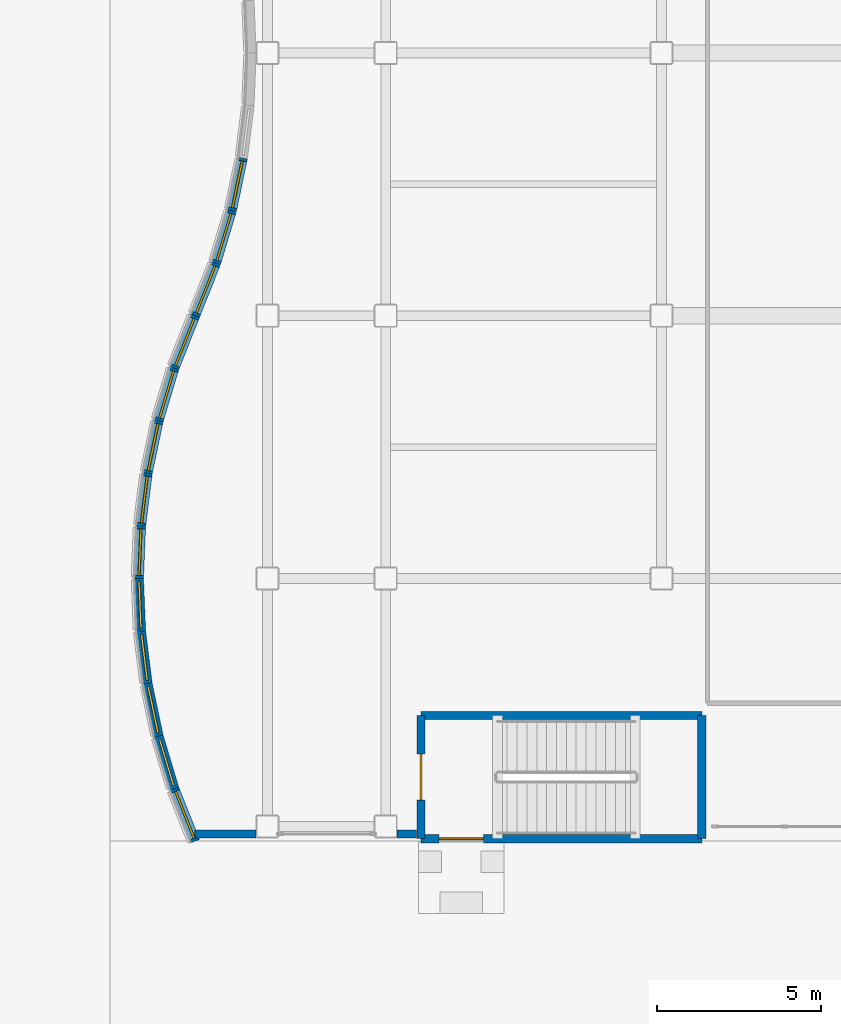
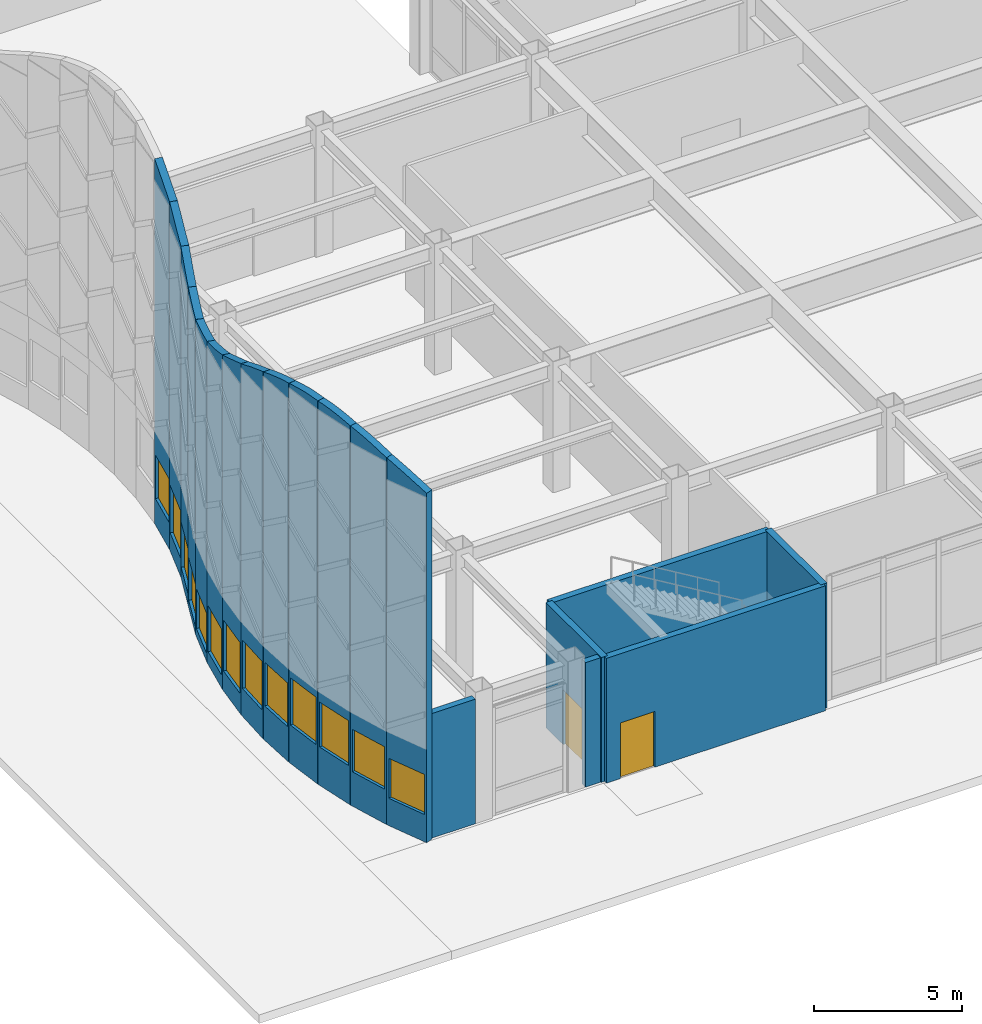
# One storey, part 124 of 165: 19 walls, 13 windows, 2 doors, 15 openings.
"""IFC4 building model written with IfcOpenShell, lengths in metres."""

from ifc_helpers import new_model, si_unit, direction, frame, frame_2d, origin, place, context, subcontext, project, spatial, polyline, rectangle, outline, extrude, material, layer, layer_set, type_object, element, fill, save


model = new_model("IFC4")

# Units and contexts
model_context = context("Model", 3, precision=1e-05, world=origin(), true_north=direction((0.0, 1.0)))
body_context = subcontext(model_context, "Body", "Model", "MODEL_VIEW")
ifc_project = project(units=[si_unit("LENGTHUNIT", "METRE"), si_unit("AREAUNIT", "SQUARE_METRE"), si_unit("VOLUMEUNIT", "CUBIC_METRE"), si_unit("PLANEANGLEUNIT", "RADIAN"), si_unit("MASSUNIT", "GRAM", prefix="KILO")], contexts=[model_context])

# Site, building, storey
site_placement = place(None, origin())
site = spatial("IfcSite", under=ifc_project, at=site_placement, CompositionType="ELEMENT")
building_placement = place(site_placement, origin())
building = spatial("IfcBuilding", under=site, at=building_placement, Name="Kazehara Bluff Congress Hotel", CompositionType="ELEMENT")
storey_placement = place(building_placement, origin())
storey = spatial("IfcBuildingStorey", under=building, at=storey_placement, Name="L00", CompositionType="ELEMENT", Elevation=0.0)

# Wall, opening, door
ifc_material_1 = material(Name="Concrete C40/50", Category="concrete")
ifc_layer_1 = layer(ifc_material_1, 0.25)
ifc_layer_set_1 = layer_set([ifc_layer_1], Name="Concrete C40/50")
wall_type_1 = type_object("IfcWallType", Name="TP-CW-RC", PredefinedType="SHEAR", material=ifc_layer_set_1)
wall_1_placement = place(storey_placement, frame((9.47509765625, 0.074951171875, 0.0), z_axis=(0.0, 0.0, 1.0), x_axis=(0.0, 1.0, 0.0)))
wall_1 = element("IfcWall", 1, at=wall_1_placement, inside=storey, type_object=wall_type_1, Name="L00 ST-04 core wall near", PredefinedType="SHEAR", context=body_context, shape_type="SweptSolid", body=[
    extrude(rectangle(XDim=3.75, YDim=0.25, at=frame_2d((1.875, 0.0))), origin(), (0.0, 0.0, 1.0), 5.14990234375),
])
opening_1_placement = place(wall_1_placement, frame((1.175048828125, 0.0, 0.0)))
opening_1 = element("IfcOpeningElement", 2, at=opening_1_placement, cuts=wall_1, Name="Opening FD-03", PredefinedType="OPENING", context=body_context, shape_type="SweptSolid", body=[
    extrude(rectangle(XDim=1.39990234375, YDim=2.25, at=frame_2d((0.699951171875, 1.125))), frame((0.0, 0.135009765625, 0.0), z_axis=(0.0, -1.0, 0.0), x_axis=(1.0, 0.0, 0.0)), (0.0, 0.0, 1.0), 0.27001953125),
])
ifc_material_2 = material(Name="Fire-rated painted steel leaf", Category="steel")
door_type_1 = type_object("IfcDoorType", Name="TP-FD-03", OperationType="NOTDEFINED", PredefinedType="DOOR", material=ifc_material_2)
door_1_placement = place(opening_1_placement, origin())
door_1 = element("IfcDoor", 3, at=door_1_placement, inside=storey, type_object=door_type_1, Name="L00 ST-04 fire stair door", OperationType="SINGLE_SWING_RIGHT", OverallHeight=2.25, OverallWidth=1.39990234375, PredefinedType="DOOR", context=body_context, shape_type="SweptSolid", body=[
    extrude(rectangle(XDim=1.39990234375, YDim=2.25, at=frame_2d((0.699951171875, 1.125))), frame((0.0, 0.02490234375, 0.0), z_axis=(0.0, -1.0, 0.0), x_axis=(1.0, 0.0, 0.0)), (0.0, 0.0, 1.0), 0.050048828125),
])
fill(opening_1, door_1)

# Wall
wall_2_placement = place(storey_placement, frame((18.02490234375, 3.824951171875, 0.0), z_axis=(0.0, 0.0, 1.0), x_axis=(0.0, -1.0, 0.0)))
element("IfcWall", 4, at=wall_2_placement, inside=storey, type_object=wall_type_1, Name="L00 ST-04 core wall far", PredefinedType="SHEAR", context=body_context, shape_type="SweptSolid", body=[
    extrude(rectangle(XDim=3.75, YDim=0.25, at=frame_2d((1.875, 0.0))), origin(), (0.0, 0.0, 1.0), 5.14990234375),
])

# Wall, opening, door
wall_3_placement = place(storey_placement, frame((18.02490234375, 0.074951171875, 0.0), z_axis=(0.0, 0.0, 1.0), x_axis=(-1.0, 0.0, 0.0)))
wall_3 = element("IfcWall", 5, at=wall_3_placement, inside=storey, type_object=wall_type_1, Name="L00 ST-04 core wall left", PredefinedType="SHEAR", context=body_context, shape_type="SweptSolid", body=[
    extrude(rectangle(XDim=8.5498046875, YDim=0.25, at=frame_2d((4.27490234375, 0.0))), origin(), (0.0, 0.0, 1.0), 5.14990234375),
])
opening_2_placement = place(wall_3_placement, frame((6.64990234375, 0.0, 0.0)))
opening_2 = element("IfcOpeningElement", 6, at=opening_2_placement, cuts=wall_3, Name="Opening ED-09", PredefinedType="OPENING", context=body_context, shape_type="SweptSolid", body=[
    extrude(rectangle(XDim=1.35009765625, YDim=2.300048828125, at=frame_2d((0.675048828125, 1.14990234375))), frame((0.0, 0.135009765625, 0.0), z_axis=(0.0, -1.0, 0.0), x_axis=(1.0, 0.0, 0.0)), (0.0, 0.0, 1.0), 0.27001953125),
])
ifc_material_3 = material(Name="Anodised aluminium", Category="aluminium")
door_type_2 = type_object("IfcDoorType", Name="TP-ED-09", OperationType="NOTDEFINED", PredefinedType="DOOR", material=ifc_material_3)
door_2_placement = place(opening_2_placement, origin())
door_2 = element("IfcDoor", 7, at=door_2_placement, inside=storey, type_object=door_type_2, Name="Escape Stair ST-04 final exit discharge door", OperationType="SINGLE_SWING_RIGHT", OverallHeight=2.300048828125, OverallWidth=1.35009765625, PredefinedType="DOOR", context=body_context, shape_type="SweptSolid", body=[
    extrude(rectangle(XDim=1.35009765625, YDim=2.300048828125, at=frame_2d((0.675048828125, 1.14990234375))), frame((0.0, 0.02490234375, 0.0), z_axis=(0.0, -1.0, 0.0), x_axis=(1.0, 0.0, 0.0)), (0.0, 0.0, 1.0), 0.050048828125),
])
fill(opening_2, door_2)

# Walls
wall_4_placement = place(storey_placement, frame((9.47509765625, 3.824951171875, 0.0), z_axis=(0.0, 0.0, 1.0), x_axis=(1.0, 0.0, 0.0)))
element("IfcWall", 8, at=wall_4_placement, inside=storey, type_object=wall_type_1, Name="L00 ST-04 core wall right", PredefinedType="SHEAR", context=body_context, shape_type="SweptSolid", body=[
    extrude(rectangle(XDim=8.5498046875, YDim=0.25, at=frame_2d((4.27490234375, 0.0))), origin(), (0.0, 0.0, 1.0), 5.14990234375),
])
ifc_material_4 = material(Name="Precast concrete C40/50", Category="concrete")
ifc_layer_2 = layer(ifc_material_4, 0.239990234375)
ifc_layer_set_2 = layer_set([ifc_layer_2], Name="Precast concrete C40/50")
wall_type_2 = type_object("IfcWallType", Name="TP-EW-240", PredefinedType="SOLIDWALL", material=ifc_layer_set_2)
wall_5_placement = place(storey_placement, frame((4.449951171875, 0.219970703125, 0.0), z_axis=(0.0, 0.0, 1.0), x_axis=(-1.0, 0.0, 0.0)))
element("IfcWall", 9, at=wall_5_placement, inside=storey, type_object=wall_type_2, Name="L00 V2 perimeter spandrel pier 513", PredefinedType="SOLIDWALL", context=body_context, shape_type="SweptSolid", body=[
    extrude(rectangle(XDim=1.849853515625, YDim=0.239990234375, at=frame_2d((0.9248046875, 0.0))), origin(), (0.0, 0.0, 1.0), 5.135009765625),
])
wall_6_placement = place(storey_placement, frame((9.340087890625, 0.219970703125, 0.0), z_axis=(0.0, 0.0, 1.0), x_axis=(-1.0, 0.0, 0.0)))
element("IfcWall", 10, at=wall_6_placement, inside=storey, type_object=wall_type_2, Name="L00 V2 perimeter spandrel pier 514", PredefinedType="SOLIDWALL", context=body_context, shape_type="SweptSolid", body=[
    extrude(rectangle(XDim=0.590087890625, YDim=0.239990234375, at=frame_2d((0.294921875, 0.0))), origin(), (0.0, 0.0, 1.0), 5.135009765625),
])

# Wall, opening, window
ifc_material_5 = material(Name="Precast concrete C40/50", Category="concrete")
ifc_layer_3 = layer(ifc_material_5, 0.280029296875)
ifc_layer_set_3 = layer_set([ifc_layer_3], Name="Precast concrete C40/50")
wall_type_3 = type_object("IfcWallType", Name="TP-EW-280", PredefinedType="SOLIDWALL", material=ifc_layer_set_3)
wall_7_placement = place(storey_placement, frame((2.60009765625, 0.0, 0.0), z_axis=(0.0, 0.0, 1.0), x_axis=(-0.368870803066, 0.92948067793, 0.0)))
wall_7 = element("IfcWall", 11, at=wall_7_placement, inside=storey, type_object=wall_type_3, Name="Wave ribbon wall WR-V2 chord 1", PredefinedType="SOLIDWALL", context=body_context, shape_type="SweptSolid", body=[
    extrude(outline(polyline([(0.0, 0.0), (1.721435546875, 0.0), (1.719970703125, 15.1201171875), (1.5048828125, 15.0400390625), (1.2900390625, 14.949951171875), (1.074951171875, 14.864990234375), (0.860107421875, 14.77490234375), (0.64501953125, 14.679931640625), (0.429931640625, 14.590087890625), (0.215087890625, 14.4951171875), (0.0, 14.39990234375), (0.0, 0.0)])), frame((0.0, 0.14013671875, 0.0), z_axis=(0.0, -1.0, 0.0), x_axis=(1.0, 0.0, 0.0)), (0.0, 0.0, 1.0), 0.280029296875),
])
opening_3_placement = place(wall_7_placement, frame((0.090087890625, 0.0, 1.125)))
opening_3 = element("IfcOpeningElement", 12, at=opening_3_placement, cuts=wall_7, Name="Opening WW-01", PredefinedType="OPENING", context=body_context, shape_type="SweptSolid", body=[
    extrude(rectangle(XDim=1.5400390625, YDim=1.64990234375, at=frame_2d((0.77001953125, 0.824951171875))), frame((0.0, 0.14990234375, 0.0), z_axis=(0.0, -1.0, 0.0), x_axis=(1.0, 0.0, 0.0)), (0.0, 0.0, 1.0), 0.300048828125),
])
ifc_material_6 = material(Name="Insulated low-E double glazing", Category="glass")
window_type_1 = type_object("IfcWindowType", Name="TP-WW-01", PartitioningType="SINGLE_PANEL", PredefinedType="WINDOW", material=ifc_material_6)
window_1_placement = place(opening_3_placement, origin())
window_1 = element("IfcWindow", 13, at=window_1_placement, inside=storey, type_object=window_type_1, Name="Wave foyer ribbon window WR-V2-01", OverallHeight=1.64990234375, OverallWidth=1.5400390625, PartitioningType="SINGLE_PANEL", PredefinedType="WINDOW", context=body_context, shape_type="SweptSolid", body=[
    extrude(rectangle(XDim=1.5400390625, YDim=1.64990234375, at=frame_2d((0.77001953125, 0.824951171875))), frame((0.0, 0.030029296875, 0.0), z_axis=(0.0, -1.0, 0.0), x_axis=(1.0, 0.0, 0.0)), (0.0, 0.0, 1.0), 0.06005859375),
])
fill(opening_3, window_1)

wall_8_placement = place(storey_placement, frame((1.965087890625, 1.60009765625, 0.0), z_axis=(0.0, 0.0, 1.0), x_axis=(-0.287361295213, 0.957822262225, 0.0)))
wall_8 = element("IfcWall", 14, at=wall_8_placement, inside=storey, type_object=wall_type_3, Name="Wave ribbon wall WR-V2 chord 2", PredefinedType="SOLIDWALL", context=body_context, shape_type="SweptSolid", body=[
    extrude(outline(polyline([(0.0, 0.0), (1.67041015625, 0.0), (1.669921875, 15.625), (1.4599609375, 15.580078125), (1.25, 15.52490234375), (1.044921875, 15.469970703125), (0.8349609375, 15.405029296875), (0.625, 15.340087890625), (0.419921875, 15.27001953125), (0.2099609375, 15.195068359375), (0.0, 15.1201171875), (0.0, 0.0)])), frame((0.0, 0.14013671875, 0.0), z_axis=(0.0, -1.0, 0.0), x_axis=(1.0, 0.0, 0.0)), (0.0, 0.0, 1.0), 0.280029296875),
])
opening_4_placement = place(wall_8_placement, frame((0.090087890625, 0.0, 1.4150390625)))
opening_4 = element("IfcOpeningElement", 15, at=opening_4_placement, cuts=wall_8, Name="Opening WW-02", PredefinedType="OPENING", context=body_context, shape_type="SweptSolid", body=[
    extrude(rectangle(XDim=1.489990234375, YDim=1.75, at=frame_2d((0.7451171875, 0.875))), frame((0.0, 0.14990234375, 0.0), z_axis=(0.0, -1.0, 0.0), x_axis=(1.0, 0.0, 0.0)), (0.0, 0.0, 1.0), 0.300048828125),
])
ifc_material_7 = material(Name="Insulated low-E double glazing", Category="glass")
window_type_2 = type_object("IfcWindowType", Name="TP-WW-02", PartitioningType="SINGLE_PANEL", PredefinedType="WINDOW", material=ifc_material_7)
window_2_placement = place(opening_4_placement, origin())
window_2 = element("IfcWindow", 16, at=window_2_placement, inside=storey, type_object=window_type_2, Name="Wave foyer ribbon window WR-V2-02", OverallHeight=1.75, OverallWidth=1.489990234375, PartitioningType="SINGLE_PANEL", PredefinedType="WINDOW", context=body_context, shape_type="SweptSolid", body=[
    extrude(rectangle(XDim=1.489990234375, YDim=1.75, at=frame_2d((0.7451171875, 0.875))), frame((0.0, 0.030029296875, 0.0), z_axis=(0.0, -1.0, 0.0), x_axis=(1.0, 0.0, 0.0)), (0.0, 0.0, 1.0), 0.06005859375),
])
fill(opening_4, window_2)

wall_9_placement = place(storey_placement, frame((1.485107421875, 3.199951171875, 0.0), z_axis=(0.0, 0.0, 1.0), x_axis=(-0.205039492081, 0.978753700727, 0.0)))
wall_9 = element("IfcWall", 17, at=wall_9_placement, inside=storey, type_object=wall_type_3, Name="Wave ribbon wall WR-V2 chord 3", PredefinedType="SOLIDWALL", context=body_context, shape_type="SweptSolid", body=[
    extrude(outline(polyline([(0.0, 0.0), (1.634765625, 0.0), (1.635009765625, 15.800048828125), (1.429931640625, 15.800048828125), (1.22509765625, 15.7900390625), (1.02001953125, 15.77490234375), (0.820068359375, 15.7548828125), (0.614990234375, 15.72998046875), (0.409912109375, 15.699951171875), (0.205078125, 15.6650390625), (0.0, 15.625), (0.0, 0.0)])), frame((0.0, 0.14013671875, 0.0), z_axis=(0.0, -1.0, 0.0), x_axis=(1.0, 0.0, 0.0)), (0.0, 0.0, 1.0), 0.280029296875),
])
opening_5_placement = place(wall_9_placement, frame((0.090087890625, 0.0, 1.580078125)))
opening_5 = element("IfcOpeningElement", 18, at=opening_5_placement, cuts=wall_9, Name="Opening WW-03", PredefinedType="OPENING", context=body_context, shape_type="SweptSolid", body=[
    extrude(rectangle(XDim=1.455078125, YDim=1.85009765625, at=frame_2d((0.7275390625, 0.925048828125))), frame((0.0, 0.14990234375, 0.0), z_axis=(0.0, -1.0, 0.0), x_axis=(1.0, 0.0, 0.0)), (0.0, 0.0, 1.0), 0.300048828125),
])
ifc_material_8 = material(Name="Insulated low-E double glazing", Category="glass")
window_type_3 = type_object("IfcWindowType", Name="TP-WW-03", PartitioningType="SINGLE_PANEL", PredefinedType="WINDOW", material=ifc_material_8)
window_3_placement = place(opening_5_placement, origin())
window_3 = element("IfcWindow", 19, at=window_3_placement, inside=storey, type_object=window_type_3, Name="Wave foyer ribbon window WR-V2-03", OverallHeight=1.85009765625, OverallWidth=1.455078125, PartitioningType="SINGLE_PANEL", PredefinedType="WINDOW", context=body_context, shape_type="SweptSolid", body=[
    extrude(rectangle(XDim=1.455078125, YDim=1.85009765625, at=frame_2d((0.7275390625, 0.925048828125))), frame((0.0, 0.030029296875, 0.0), z_axis=(0.0, -1.0, 0.0), x_axis=(1.0, 0.0, 0.0)), (0.0, 0.0, 1.0), 0.06005859375),
])
fill(opening_5, window_3)

wall_10_placement = place(storey_placement, frame((1.14990234375, 4.800048828125, 0.0), z_axis=(0.0, 0.0, 1.0), x_axis=(-0.124016097791, 0.992280206136, 0.0)))
wall_10 = element("IfcWall", 20, at=wall_10_placement, inside=storey, type_object=wall_type_3, Name="Wave ribbon wall WR-V2 chord 4", PredefinedType="SOLIDWALL", context=body_context, shape_type="SweptSolid", body=[
    extrude(outline(polyline([(0.0, 0.0), (1.6123046875, 0.0), (1.610107421875, 15.6201171875), (1.409912109375, 15.659912109375), (1.2099609375, 15.695068359375), (1.0048828125, 15.72509765625), (0.804931640625, 15.7548828125), (0.60498046875, 15.77490234375), (0.39990234375, 15.784912109375), (0.199951171875, 15.794921875), (0.0, 15.800048828125), (0.0, 0.0)])), frame((0.0, 0.14013671875, 0.0), z_axis=(0.0, -1.0, 0.0), x_axis=(1.0, 0.0, 0.0)), (0.0, 0.0, 1.0), 0.280029296875),
])
opening_6_placement = place(wall_10_placement, frame((0.090087890625, 0.0, 1.580078125)))
opening_6 = element("IfcOpeningElement", 21, at=opening_6_placement, cuts=wall_10, Name="Opening WW-04", PredefinedType="OPENING", context=body_context, shape_type="SweptSolid", body=[
    extrude(rectangle(XDim=1.429931640625, YDim=1.949951171875, at=frame_2d((0.71484375, 0.97509765625))), frame((0.0, 0.14990234375, 0.0), z_axis=(0.0, -1.0, 0.0), x_axis=(1.0, 0.0, 0.0)), (0.0, 0.0, 1.0), 0.300048828125),
])
ifc_material_9 = material(Name="Insulated low-E double glazing", Category="glass")
window_type_4 = type_object("IfcWindowType", Name="TP-WW-04", PartitioningType="SINGLE_PANEL", PredefinedType="WINDOW", material=ifc_material_9)
window_4_placement = place(opening_6_placement, origin())
window_4 = element("IfcWindow", 22, at=window_4_placement, inside=storey, type_object=window_type_4, Name="Wave foyer ribbon window WR-V2-04", OverallHeight=1.949951171875, OverallWidth=1.429931640625, PartitioningType="SINGLE_PANEL", PredefinedType="WINDOW", context=body_context, shape_type="SweptSolid", body=[
    extrude(rectangle(XDim=1.429931640625, YDim=1.949951171875, at=frame_2d((0.71484375, 0.97509765625))), frame((0.0, 0.030029296875, 0.0), z_axis=(0.0, -1.0, 0.0), x_axis=(1.0, 0.0, 0.0)), (0.0, 0.0, 1.0), 0.06005859375),
])
fill(opening_6, window_4)

wall_11_placement = place(storey_placement, frame((0.949951171875, 6.39990234375, 0.0), z_axis=(0.0, 0.0, 1.0), x_axis=(-0.040552516117, 0.99917740839, 0.0)))
wall_11 = element("IfcWall", 23, at=wall_11_placement, inside=storey, type_object=wall_type_3, Name="Wave ribbon wall WR-V2 chord 5", PredefinedType="SOLIDWALL", context=body_context, shape_type="SweptSolid", body=[
    extrude(outline(polyline([(0.0, 0.0), (1.601318359375, 0.0), (1.60009765625, 15.135009765625), (1.39990234375, 15.2099609375), (1.199951171875, 15.280029296875), (1.0, 15.344970703125), (0.800048828125, 15.409912109375), (0.60009765625, 15.469970703125), (0.39990234375, 15.52490234375), (0.199951171875, 15.574951171875), (0.0, 15.6201171875), (0.0, 0.0)])), frame((0.0, 0.14013671875, 0.0), z_axis=(0.0, -1.0, 0.0), x_axis=(1.0, 0.0, 0.0)), (0.0, 0.0, 1.0), 0.280029296875),
])
opening_7_placement = place(wall_11_placement, frame((0.090087890625, 0.0, 1.419921875)))
opening_7 = element("IfcOpeningElement", 24, at=opening_7_placement, cuts=wall_11, Name="Opening WW-05", PredefinedType="OPENING", context=body_context, shape_type="SweptSolid", body=[
    extrude(rectangle(XDim=1.419921875, YDim=1.800048828125, at=frame_2d((0.7099609375, 0.89990234375))), frame((0.0, 0.14990234375, 0.0), z_axis=(0.0, -1.0, 0.0), x_axis=(1.0, 0.0, 0.0)), (0.0, 0.0, 1.0), 0.300048828125),
])
ifc_material_10 = material(Name="Insulated low-E double glazing", Category="glass")
window_type_5 = type_object("IfcWindowType", Name="TP-WW-05", PartitioningType="DOUBLE_PANEL_VERTICAL", PredefinedType="WINDOW", material=ifc_material_10)
window_5_placement = place(opening_7_placement, origin())
window_5 = element("IfcWindow", 25, at=window_5_placement, inside=storey, type_object=window_type_5, Name="Wave foyer ribbon window WR-V2-05", OverallHeight=1.800048828125, OverallWidth=1.419921875, PartitioningType="SINGLE_PANEL", PredefinedType="WINDOW", context=body_context, shape_type="SweptSolid", body=[
    extrude(rectangle(XDim=1.419921875, YDim=1.800048828125, at=frame_2d((0.7099609375, 0.89990234375))), frame((0.0, 0.030029296875, 0.0), z_axis=(0.0, -1.0, 0.0), x_axis=(1.0, 0.0, 0.0)), (0.0, 0.0, 1.0), 0.06005859375),
])
fill(opening_7, window_5)

wall_12_placement = place(storey_placement, frame((0.885009765625, 8.0, 0.0), z_axis=(0.0, 0.0, 1.0), x_axis=(0.040552516117, 0.99917740839, 0.0)))
wall_12 = element("IfcWall", 26, at=wall_12_placement, inside=storey, type_object=wall_type_3, Name="Wave ribbon wall WR-V2 chord 6", PredefinedType="SOLIDWALL", context=body_context, shape_type="SweptSolid", body=[
    extrude(outline(polyline([(0.0, 0.0), (1.601318359375, 0.0), (1.60009765625, 14.47509765625), (1.39990234375, 14.56005859375), (1.199951171875, 14.64501953125), (1.0, 14.735107421875), (0.800048828125, 14.820068359375), (0.60009765625, 14.89990234375), (0.39990234375, 14.97998046875), (0.199951171875, 15.06005859375), (0.0, 15.135009765625), (0.0, 0.0)])), frame((0.0, 0.14013671875, 0.0), z_axis=(0.0, -1.0, 0.0), x_axis=(1.0, 0.0, 0.0)), (0.0, 0.0, 1.0), 0.280029296875),
])
opening_8_placement = place(wall_12_placement, frame((0.090087890625, 0.0, 1.14501953125)))
opening_8 = element("IfcOpeningElement", 27, at=opening_8_placement, cuts=wall_12, Name="Opening WW-06", PredefinedType="OPENING", context=body_context, shape_type="SweptSolid", body=[
    extrude(rectangle(XDim=1.419921875, YDim=2.0, at=frame_2d((0.7099609375, 1.0))), frame((0.0, 0.14990234375, 0.0), z_axis=(0.0, -1.0, 0.0), x_axis=(1.0, 0.0, 0.0)), (0.0, 0.0, 1.0), 0.300048828125),
])
ifc_material_11 = material(Name="Insulated low-E double glazing", Category="glass")
window_type_6 = type_object("IfcWindowType", Name="TP-WW-06", PartitioningType="DOUBLE_PANEL_VERTICAL", PredefinedType="WINDOW", material=ifc_material_11)
window_6_placement = place(opening_8_placement, origin())
window_6 = element("IfcWindow", 28, at=window_6_placement, inside=storey, type_object=window_type_6, Name="Wave foyer ribbon window WR-V2-06", OverallHeight=2.0, OverallWidth=1.419921875, PartitioningType="SINGLE_PANEL", PredefinedType="WINDOW", context=body_context, shape_type="SweptSolid", body=[
    extrude(rectangle(XDim=1.419921875, YDim=2.0, at=frame_2d((0.7099609375, 1.0))), frame((0.0, 0.030029296875, 0.0), z_axis=(0.0, -1.0, 0.0), x_axis=(1.0, 0.0, 0.0)), (0.0, 0.0, 1.0), 0.06005859375),
])
fill(opening_8, window_6)

wall_13_placement = place(storey_placement, frame((0.949951171875, 9.60009765625, 0.0), z_axis=(0.0, 0.0, 1.0), x_axis=(0.124016097791, 0.992280206136, 0.0)))
wall_13 = element("IfcWall", 29, at=wall_13_placement, inside=storey, type_object=wall_type_3, Name="Wave ribbon wall WR-V2 chord 7", PredefinedType="SOLIDWALL", context=body_context, shape_type="SweptSolid", body=[
    extrude(outline(polyline([(0.0, 0.0), (1.6123046875, 0.0), (1.610107421875, 13.784912109375), (1.409912109375, 13.864990234375), (1.2099609375, 13.949951171875), (1.0048828125, 14.034912109375), (0.804931640625, 14.1201171875), (0.60498046875, 14.2099609375), (0.39990234375, 14.294921875), (0.199951171875, 14.385009765625), (0.0, 14.47509765625), (0.0, 0.0)])), frame((0.0, 0.14013671875, 0.0), z_axis=(0.0, -1.0, 0.0), x_axis=(1.0, 0.0, 0.0)), (0.0, 0.0, 1.0), 0.280029296875),
])
opening_9_placement = place(wall_13_placement, frame((0.090087890625, 0.0, 0.820068359375)))
opening_9 = element("IfcOpeningElement", 30, at=opening_9_placement, cuts=wall_13, Name="Opening WW-07", PredefinedType="OPENING", context=body_context, shape_type="SweptSolid", body=[
    extrude(rectangle(XDim=1.429931640625, YDim=2.10009765625, at=frame_2d((0.71484375, 1.050048828125))), frame((0.0, 0.14990234375, 0.0), z_axis=(0.0, -1.0, 0.0), x_axis=(1.0, 0.0, 0.0)), (0.0, 0.0, 1.0), 0.300048828125),
])
ifc_material_12 = material(Name="Insulated low-E double glazing", Category="glass")
window_type_7 = type_object("IfcWindowType", Name="TP-WW-07", PartitioningType="DOUBLE_PANEL_VERTICAL", PredefinedType="WINDOW", material=ifc_material_12)
window_7_placement = place(opening_9_placement, origin())
window_7 = element("IfcWindow", 31, at=window_7_placement, inside=storey, type_object=window_type_7, Name="Wave foyer ribbon window WR-V2-07", OverallHeight=2.10009765625, OverallWidth=1.429931640625, PartitioningType="SINGLE_PANEL", PredefinedType="WINDOW", context=body_context, shape_type="SweptSolid", body=[
    extrude(rectangle(XDim=1.429931640625, YDim=2.10009765625, at=frame_2d((0.71484375, 1.050048828125))), frame((0.0, 0.030029296875, 0.0), z_axis=(0.0, -1.0, 0.0), x_axis=(1.0, 0.0, 0.0)), (0.0, 0.0, 1.0), 0.06005859375),
])
fill(opening_9, window_7)

wall_14_placement = place(storey_placement, frame((1.14990234375, 11.199951171875, 0.0), z_axis=(0.0, 0.0, 1.0), x_axis=(0.205039492081, 0.978753700727, 0.0)))
wall_14 = element("IfcWall", 32, at=wall_14_placement, inside=storey, type_object=wall_type_3, Name="Wave ribbon wall WR-V2 chord 8", PredefinedType="SOLIDWALL", context=body_context, shape_type="SweptSolid", body=[
    extrude(outline(polyline([(0.0, 0.0), (1.634765625, 0.0), (1.635009765625, 13.2451171875), (1.429931640625, 13.300048828125), (1.22509765625, 13.360107421875), (1.02001953125, 13.419921875), (0.820068359375, 13.485107421875), (0.614990234375, 13.554931640625), (0.409912109375, 13.6298828125), (0.205078125, 13.705078125), (0.0, 13.784912109375), (0.0, 0.0)])), frame((0.0, 0.14013671875, 0.0), z_axis=(0.0, -1.0, 0.0), x_axis=(1.0, 0.0, 0.0)), (0.0, 0.0, 1.0), 0.280029296875),
])
opening_10_placement = place(wall_14_placement, frame((0.090087890625, 0.0, 0.52490234375)))
opening_10 = element("IfcOpeningElement", 33, at=opening_10_placement, cuts=wall_14, Name="Opening WW-08", PredefinedType="OPENING", context=body_context, shape_type="SweptSolid", body=[
    extrude(rectangle(XDim=1.455078125, YDim=1.89990234375, at=frame_2d((0.7275390625, 0.949951171875))), frame((0.0, 0.14990234375, 0.0), z_axis=(0.0, -1.0, 0.0), x_axis=(1.0, 0.0, 0.0)), (0.0, 0.0, 1.0), 0.300048828125),
])
ifc_material_13 = material(Name="Insulated low-E double glazing", Category="glass")
window_type_8 = type_object("IfcWindowType", Name="TP-WW-08", PartitioningType="SINGLE_PANEL", PredefinedType="WINDOW", material=ifc_material_13)
window_8_placement = place(opening_10_placement, origin())
window_8 = element("IfcWindow", 34, at=window_8_placement, inside=storey, type_object=window_type_8, Name="Wave foyer ribbon window WR-V2-08", OverallHeight=1.89990234375, OverallWidth=1.455078125, PartitioningType="SINGLE_PANEL", PredefinedType="WINDOW", context=body_context, shape_type="SweptSolid", body=[
    extrude(rectangle(XDim=1.455078125, YDim=1.89990234375, at=frame_2d((0.7275390625, 0.949951171875))), frame((0.0, 0.030029296875, 0.0), z_axis=(0.0, -1.0, 0.0), x_axis=(1.0, 0.0, 0.0)), (0.0, 0.0, 1.0), 0.06005859375),
])
fill(opening_10, window_8)

wall_15_placement = place(storey_placement, frame((1.485107421875, 12.800048828125, 0.0), z_axis=(0.0, 0.0, 1.0), x_axis=(0.287361295213, 0.957822262225, 0.0)))
wall_15 = element("IfcWall", 35, at=wall_15_placement, inside=storey, type_object=wall_type_3, Name="Wave ribbon wall WR-V2 chord 9", PredefinedType="SOLIDWALL", context=body_context, shape_type="SweptSolid", body=[
    extrude(outline(polyline([(0.0, 0.0), (1.67041015625, 0.0), (1.669921875, 13.0048828125), (1.4599609375, 13.014892578125), (1.25, 13.030029296875), (1.044921875, 13.054931640625), (0.8349609375, 13.080078125), (0.625, 13.114990234375), (0.419921875, 13.155029296875), (0.2099609375, 13.195068359375), (0.0, 13.2451171875), (0.0, 0.0)])), frame((0.0, 0.14013671875, 0.0), z_axis=(0.0, -1.0, 0.0), x_axis=(1.0, 0.0, 0.0)), (0.0, 0.0, 1.0), 0.280029296875),
])
opening_11_placement = place(wall_15_placement, frame((0.090087890625, 0.0, 0.3349609375)))
opening_11 = element("IfcOpeningElement", 36, at=opening_11_placement, cuts=wall_15, Name="Opening WW-01", PredefinedType="OPENING", context=body_context, shape_type="SweptSolid", body=[
    extrude(rectangle(XDim=1.489990234375, YDim=1.64990234375, at=frame_2d((0.7451171875, 0.824951171875))), frame((0.0, 0.14990234375, 0.0), z_axis=(0.0, -1.0, 0.0), x_axis=(1.0, 0.0, 0.0)), (0.0, 0.0, 1.0), 0.300048828125),
])
window_9_placement = place(opening_11_placement, origin())
window_9 = element("IfcWindow", 37, at=window_9_placement, inside=storey, type_object=window_type_1, Name="Wave foyer ribbon window WR-V2-09", OverallHeight=1.64990234375, OverallWidth=1.489990234375, PartitioningType="SINGLE_PANEL", PredefinedType="WINDOW", context=body_context, shape_type="SweptSolid", body=[
    extrude(rectangle(XDim=1.489990234375, YDim=1.64990234375, at=frame_2d((0.7451171875, 0.824951171875))), frame((0.0, 0.030029296875, 0.0), z_axis=(0.0, -1.0, 0.0), x_axis=(1.0, 0.0, 0.0)), (0.0, 0.0, 1.0), 0.06005859375),
])
fill(opening_11, window_9)

wall_16_placement = place(storey_placement, frame((1.965087890625, 14.39990234375, 0.0), z_axis=(0.0, 0.0, 1.0), x_axis=(0.368870803066, 0.92948067793, 0.0)))
wall_16 = element("IfcWall", 38, at=wall_16_placement, inside=storey, type_object=wall_type_3, Name="Wave ribbon wall WR-V2 chord 10", PredefinedType="SOLIDWALL", context=body_context, shape_type="SweptSolid", body=[
    extrude(outline(polyline([(0.0, 0.0), (1.721435546875, 0.0), (1.719970703125, 13.14501953125), (1.5048828125, 13.10498046875), (1.2900390625, 13.074951171875), (1.074951171875, 13.044921875), (0.860107421875, 13.02490234375), (0.64501953125, 13.010009765625), (0.429931640625, 13.0), (0.215087890625, 13.0), (0.0, 13.0048828125), (0.0, 0.0)])), frame((0.0, 0.14013671875, 0.0), z_axis=(0.0, -1.0, 0.0), x_axis=(1.0, 0.0, 0.0)), (0.0, 0.0, 1.0), 0.280029296875),
])
opening_12_placement = place(wall_16_placement, frame((0.090087890625, 0.0, 0.31005859375)))
opening_12 = element("IfcOpeningElement", 39, at=opening_12_placement, cuts=wall_16, Name="Opening WW-02", PredefinedType="OPENING", context=body_context, shape_type="SweptSolid", body=[
    extrude(rectangle(XDim=1.5400390625, YDim=1.75, at=frame_2d((0.77001953125, 0.875))), frame((0.0, 0.14990234375, 0.0), z_axis=(0.0, -1.0, 0.0), x_axis=(1.0, 0.0, 0.0)), (0.0, 0.0, 1.0), 0.300048828125),
])
window_10_placement = place(opening_12_placement, origin())
window_10 = element("IfcWindow", 40, at=window_10_placement, inside=storey, type_object=window_type_2, Name="Wave foyer ribbon window WR-V2-10", OverallHeight=1.75, OverallWidth=1.5400390625, PartitioningType="SINGLE_PANEL", PredefinedType="WINDOW", context=body_context, shape_type="SweptSolid", body=[
    extrude(rectangle(XDim=1.5400390625, YDim=1.75, at=frame_2d((0.77001953125, 0.875))), frame((0.0, 0.030029296875, 0.0), z_axis=(0.0, -1.0, 0.0), x_axis=(1.0, 0.0, 0.0)), (0.0, 0.0, 1.0), 0.06005859375),
])
fill(opening_12, window_10)

wall_17_placement = place(storey_placement, frame((2.60009765625, 16.0, 0.0), z_axis=(0.0, 0.0, 1.0), x_axis=(0.368870803066, 0.92948067793, 0.0)))
wall_17 = element("IfcWall", 41, at=wall_17_placement, inside=storey, type_object=wall_type_3, Name="Wave ribbon wall WR-V2 chord 11", PredefinedType="SOLIDWALL", context=body_context, shape_type="SweptSolid", body=[
    extrude(outline(polyline([(0.0, 0.0), (1.721435546875, 0.0), (1.719970703125, 13.64501953125), (1.5048828125, 13.570068359375), (1.2900390625, 13.4951171875), (1.074951171875, 13.425048828125), (0.860107421875, 13.360107421875), (0.64501953125, 13.300048828125), (0.429931640625, 13.239990234375), (0.215087890625, 13.18994140625), (0.0, 13.14501953125), (0.0, 0.0)])), frame((0.0, 0.14013671875, 0.0), z_axis=(0.0, -1.0, 0.0), x_axis=(1.0, 0.0, 0.0)), (0.0, 0.0, 1.0), 0.280029296875),
])
opening_13_placement = place(wall_17_placement, frame((0.090087890625, 0.0, 0.465087890625)))
opening_13 = element("IfcOpeningElement", 42, at=opening_13_placement, cuts=wall_17, Name="Opening WW-03", PredefinedType="OPENING", context=body_context, shape_type="SweptSolid", body=[
    extrude(rectangle(XDim=1.5400390625, YDim=1.85009765625, at=frame_2d((0.77001953125, 0.925048828125))), frame((0.0, 0.14990234375, 0.0), z_axis=(0.0, -1.0, 0.0), x_axis=(1.0, 0.0, 0.0)), (0.0, 0.0, 1.0), 0.300048828125),
])
window_11_placement = place(opening_13_placement, origin())
window_11 = element("IfcWindow", 43, at=window_11_placement, inside=storey, type_object=window_type_3, Name="Wave foyer ribbon window WR-V2-11", OverallHeight=1.85009765625, OverallWidth=1.5400390625, PartitioningType="SINGLE_PANEL", PredefinedType="WINDOW", context=body_context, shape_type="SweptSolid", body=[
    extrude(rectangle(XDim=1.5400390625, YDim=1.85009765625, at=frame_2d((0.77001953125, 0.925048828125))), frame((0.0, 0.030029296875, 0.0), z_axis=(0.0, -1.0, 0.0), x_axis=(1.0, 0.0, 0.0)), (0.0, 0.0, 1.0), 0.06005859375),
])
fill(opening_13, window_11)

wall_18_placement = place(storey_placement, frame((3.235107421875, 17.60009765625, 0.0), z_axis=(0.0, 0.0, 1.0), x_axis=(0.287361295213, 0.957822262225, 0.0)))
wall_18 = element("IfcWall", 44, at=wall_18_placement, inside=storey, type_object=wall_type_3, Name="Wave ribbon wall WR-V2 chord 12", PredefinedType="SOLIDWALL", context=body_context, shape_type="SweptSolid", body=[
    extrude(outline(polyline([(0.0, 0.0), (1.67041015625, 0.0), (1.669921875, 14.340087890625), (1.4599609375, 14.2451171875), (1.25, 14.155029296875), (1.044921875, 14.06494140625), (0.8349609375, 13.97998046875), (0.625, 13.889892578125), (0.419921875, 13.804931640625), (0.2099609375, 13.72509765625), (0.0, 13.64501953125), (0.0, 0.0)])), frame((0.0, 0.14013671875, 0.0), z_axis=(0.0, -1.0, 0.0), x_axis=(1.0, 0.0, 0.0)), (0.0, 0.0, 1.0), 0.280029296875),
])
opening_14_placement = place(wall_18_placement, frame((0.090087890625, 0.0, 0.7548828125)))
opening_14 = element("IfcOpeningElement", 45, at=opening_14_placement, cuts=wall_18, Name="Opening WW-04", PredefinedType="OPENING", context=body_context, shape_type="SweptSolid", body=[
    extrude(rectangle(XDim=1.489990234375, YDim=1.949951171875, at=frame_2d((0.7451171875, 0.97509765625))), frame((0.0, 0.14990234375, 0.0), z_axis=(0.0, -1.0, 0.0), x_axis=(1.0, 0.0, 0.0)), (0.0, 0.0, 1.0), 0.300048828125),
])
window_12_placement = place(opening_14_placement, origin())
window_12 = element("IfcWindow", 46, at=window_12_placement, inside=storey, type_object=window_type_4, Name="Wave foyer ribbon window WR-V2-12", OverallHeight=1.949951171875, OverallWidth=1.489990234375, PartitioningType="SINGLE_PANEL", PredefinedType="WINDOW", context=body_context, shape_type="SweptSolid", body=[
    extrude(rectangle(XDim=1.489990234375, YDim=1.949951171875, at=frame_2d((0.7451171875, 0.97509765625))), frame((0.0, 0.030029296875, 0.0), z_axis=(0.0, -1.0, 0.0), x_axis=(1.0, 0.0, 0.0)), (0.0, 0.0, 1.0), 0.06005859375),
])
fill(opening_14, window_12)

wall_19_placement = place(storey_placement, frame((3.715087890625, 19.199951171875, 0.0), z_axis=(0.0, 0.0, 1.0), x_axis=(0.204896426963, 0.97878366058, 0.0)))
wall_19 = element("IfcWall", 47, at=wall_19_placement, inside=storey, type_object=wall_type_3, Name="Wave ribbon wall WR-V2 chord 13", PredefinedType="SOLIDWALL", context=body_context, shape_type="SweptSolid", body=[
    extrude(outline(polyline([(0.0, 0.0), (1.634765625, 0.0), (1.635009765625, 15.034912109375), (1.429931640625, 14.949951171875), (1.22509765625, 14.8701171875), (1.02001953125, 14.784912109375), (0.820068359375, 14.695068359375), (0.614990234375, 14.60498046875), (0.409912109375, 14.52001953125), (0.205078125, 14.429931640625), (0.0, 14.340087890625), (0.0, 0.0)])), frame((0.0, 0.14013671875, 0.0), z_axis=(0.0, -1.0, 0.0), x_axis=(1.0, 0.0, 0.0)), (0.0, 0.0, 1.0), 0.280029296875),
])
opening_15_placement = place(wall_19_placement, frame((0.090087890625, 0.0, 1.0849609375)))
opening_15 = element("IfcOpeningElement", 48, at=opening_15_placement, cuts=wall_19, Name="Opening WW-05", PredefinedType="OPENING", context=body_context, shape_type="SweptSolid", body=[
    extrude(rectangle(XDim=1.455078125, YDim=1.800048828125, at=frame_2d((0.7275390625, 0.89990234375))), frame((0.0, 0.14990234375, 0.0), z_axis=(0.0, -1.0, 0.0), x_axis=(1.0, 0.0, 0.0)), (0.0, 0.0, 1.0), 0.300048828125),
])
window_13_placement = place(opening_15_placement, origin())
window_13 = element("IfcWindow", 49, at=window_13_placement, inside=storey, type_object=window_type_5, Name="Wave foyer ribbon window WR-V2-13", OverallHeight=1.800048828125, OverallWidth=1.455078125, PartitioningType="SINGLE_PANEL", PredefinedType="WINDOW", context=body_context, shape_type="SweptSolid", body=[
    extrude(rectangle(XDim=1.455078125, YDim=1.800048828125, at=frame_2d((0.7275390625, 0.89990234375))), frame((0.0, 0.030029296875, 0.0), z_axis=(0.0, -1.0, 0.0), x_axis=(1.0, 0.0, 0.0)), (0.0, 0.0, 1.0), 0.06005859375),
])
fill(opening_15, window_13)

save(model, "model.ifc")
